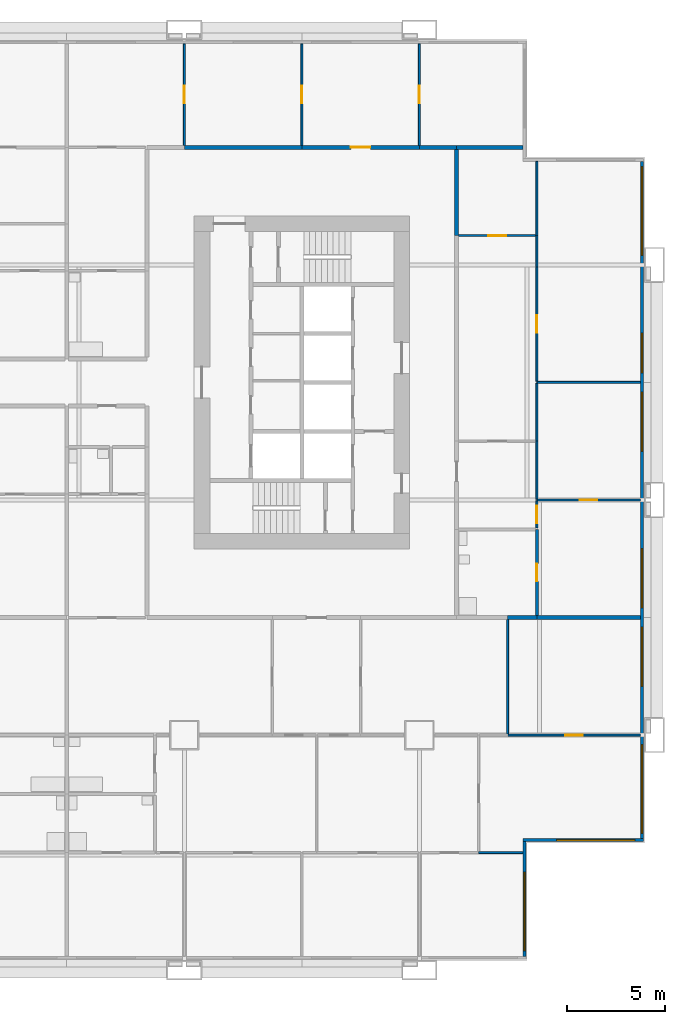
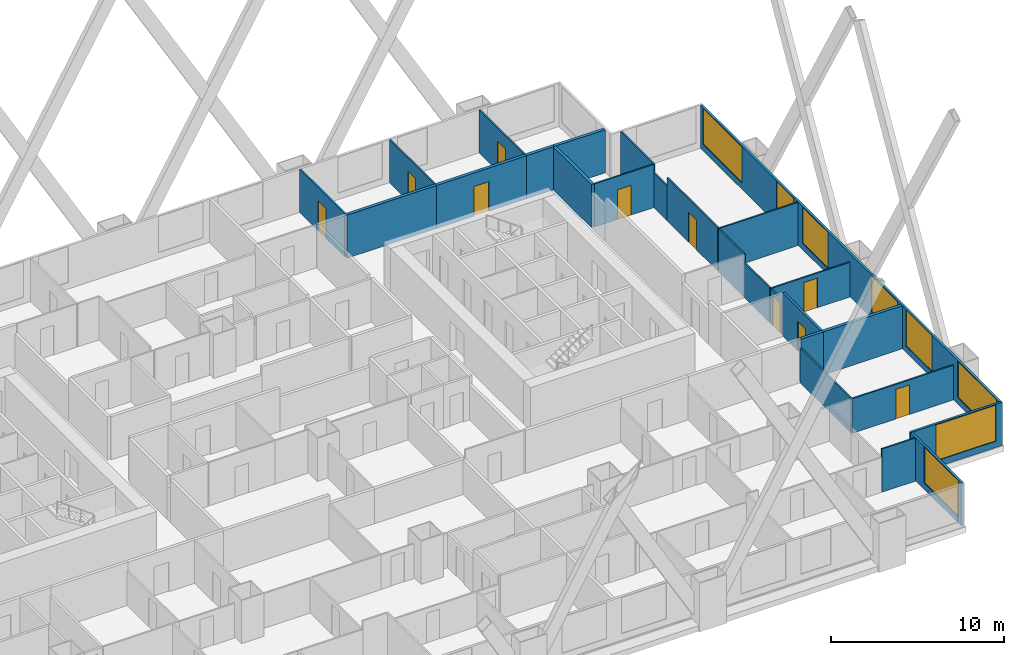
# One storey, part 10 of 13: 26 walls, 10 doors, 8 windows, 18 openings.
"""IFC4 building model written with IfcOpenShell, lengths in metres."""

from ifc_helpers import new_model, si_unit, direction, frame, frame_2d, origin, place, context, subcontext, project, spatial, rectangle, extrude, material, layer, layer_set, type_object, element, fill, save


model = new_model("IFC4")

# Units and contexts
model_context = context("Model", 3, precision=1e-05, world=origin(), true_north=direction((0.0, 1.0)))
body_context = subcontext(model_context, "Body", "Model", "MODEL_VIEW")
ifc_project = project(units=[si_unit("LENGTHUNIT", "METRE"), si_unit("AREAUNIT", "SQUARE_METRE"), si_unit("VOLUMEUNIT", "CUBIC_METRE"), si_unit("PLANEANGLEUNIT", "RADIAN"), si_unit("MASSUNIT", "GRAM", prefix="KILO")], contexts=[model_context])

# Site, building, storey
site_placement = place(None, origin())
site = spatial("IfcSite", under=ifc_project, at=site_placement, CompositionType="ELEMENT")
building_placement = place(site_placement, origin())
building = spatial("IfcBuilding", under=site, at=building_placement, Name="Kitamizu Gate Tower and Museum", CompositionType="ELEMENT")
storey_placement = place(building_placement, frame((0.0, 0.0, 50.699951171875)))
storey = spatial("IfcBuildingStorey", under=building, at=storey_placement, Name="L11", CompositionType="ELEMENT", Elevation=50.699951171875)

# Wall
ifc_material_1 = material(Name="Gypsum board on galvanised stud")
ifc_layer_1 = layer(ifc_material_1, 0.10009765625)
ifc_layer_set_1 = layer_set([ifc_layer_1], Name="Gypsum board on galvanised stud")
wall_type_1 = type_object("IfcWallType", Name="Partition 100 NOT RATED", PredefinedType="PARTITIONING", material=ifc_layer_set_1)
wall_1_placement = place(storey_placement, frame((65.280029296875, 6.0, 0.0), z_axis=(0.0, 0.0, 1.0), x_axis=(-1.0, 0.0, 0.0)))
element("IfcWall", 1, at=wall_1_placement, inside=storey, type_object=wall_type_1, Name="Partition L11-085", PredefinedType="PARTITIONING", context=body_context, shape_type="SweptSolid", body=[
    extrude(rectangle(XDim=2.260009765625, YDim=0.10009765625, at=frame_2d((1.1298828125, 0.0))), origin(), (0.0, 0.0, 1.0), 3.050048828125),
])

# Wall, opening, door
wall_2_placement = place(storey_placement, frame((71.280029296875, 12.0, 0.0), z_axis=(0.0, 0.0, 1.0), x_axis=(-1.0, 0.0, 0.0)))
wall_2 = element("IfcWall", 2, at=wall_2_placement, inside=storey, type_object=wall_type_1, Name="Partition L11-099", PredefinedType="PARTITIONING", context=body_context, shape_type="SweptSolid", body=[
    extrude(rectangle(XDim=6.780029296875, YDim=0.10009765625, at=frame_2d((3.39013671875, 0.0))), origin(), (0.0, 0.0, 1.0), 2.449951171875),
])
opening_1_placement = place(wall_2_placement, frame((2.93994140625, 0.0, 0.0)))
opening_1 = element("IfcOpeningElement", 3, at=opening_1_placement, cuts=wall_2, Name="Opening L11-038", PredefinedType="OPENING", context=body_context, shape_type="SweptSolid", body=[
    extrude(rectangle(XDim=0.89990234375, YDim=2.10009765625, at=frame_2d((0.449951171875, 1.050048828125))), frame((0.0, 0.06005859375, 0.0), z_axis=(0.0, -1.0, 0.0), x_axis=(1.0, 0.0, 0.0)), (0.0, 0.0, 1.0), 0.1201171875),
])
ifc_material_2 = material(Name="Timber door set", Category="wood")
door_type_1 = type_object("IfcDoorType", Name="Room door 900", OperationType="NOTDEFINED", PredefinedType="DOOR", material=ifc_material_2)
door_1_placement = place(opening_1_placement, frame((0.89990234375, 0.0, 0.0), x_axis=(-1.0, 0.0, 0.0)))
door_1 = element("IfcDoor", 4, at=door_1_placement, inside=storey, type_object=door_type_1, Name="Door L11-038", OperationType="SINGLE_SWING_RIGHT", OverallHeight=2.10009765625, OverallWidth=0.89990234375, PredefinedType="DOOR", context=body_context, shape_type="SweptSolid", body=[
    extrude(rectangle(XDim=0.89990234375, YDim=2.10009765625, at=frame_2d((0.449951171875, 1.050048828125))), frame((0.0, 0.02490234375, 0.0), z_axis=(0.0, -1.0, 0.0), x_axis=(1.0, 0.0, 0.0)), (0.0, 0.0, 1.0), 0.050048828125),
])
fill(opening_1, door_1)

# Wall
wall_3_placement = place(storey_placement, frame((64.5, 12.050048828125, 0.0), z_axis=(0.0, 0.0, 1.0), x_axis=(0.0, 1.0, 0.0)))
element("IfcWall", 5, at=wall_3_placement, inside=storey, type_object=wall_type_1, Name="Partition L11-105", PredefinedType="PARTITIONING", context=body_context, shape_type="SweptSolid", body=[
    extrude(rectangle(XDim=5.849853515625, YDim=0.10009765625, at=frame_2d((2.9248046875, 0.0))), origin(), (0.0, 0.0, 1.0), 2.449951171875),
])

# Wall, opening, door
wall_4_placement = place(storey_placement, frame((48.0, 42.10009765625, 0.0), z_axis=(0.0, 0.0, 1.0), x_axis=(0.0, 1.0, 0.0)))
wall_4 = element("IfcWall", 6, at=wall_4_placement, inside=storey, type_object=wall_type_1, Name="Partition L11-175", PredefinedType="PARTITIONING", context=body_context, shape_type="SweptSolid", body=[
    extrude(rectangle(XDim=5.179931640625, YDim=0.10009765625, at=frame_2d((2.58984375, 0.0))), origin(), (0.0, 0.0, 1.0), 3.050048828125),
])
opening_2_placement = place(wall_4_placement, frame((2.139892578125, 0.0, 0.0)))
opening_2 = element("IfcOpeningElement", 7, at=opening_2_placement, cuts=wall_4, Name="Opening L11-066", PredefinedType="OPENING", context=body_context, shape_type="SweptSolid", body=[
    extrude(rectangle(XDim=0.89990234375, YDim=2.10009765625, at=frame_2d((0.449951171875, 1.050048828125))), frame((0.0, 0.06005859375, 0.0), z_axis=(0.0, -1.0, 0.0), x_axis=(1.0, 0.0, 0.0)), (0.0, 0.0, 1.0), 0.1201171875),
])
door_2_placement = place(opening_2_placement, origin())
door_2 = element("IfcDoor", 8, at=door_2_placement, inside=storey, type_object=door_type_1, Name="Door L11-066", OperationType="SINGLE_SWING_RIGHT", OverallHeight=2.10009765625, OverallWidth=0.89990234375, PredefinedType="DOOR", context=body_context, shape_type="SweptSolid", body=[
    extrude(rectangle(XDim=0.89990234375, YDim=2.10009765625, at=frame_2d((0.449951171875, 1.050048828125))), frame((0.0, 0.02490234375, 0.0), z_axis=(0.0, -1.0, 0.0), x_axis=(1.0, 0.0, 0.0)), (0.0, 0.0, 1.0), 0.050048828125),
])
fill(opening_2, door_2)

wall_5_placement = place(storey_placement, frame((54.0, 42.10009765625, 0.0), z_axis=(0.0, 0.0, 1.0), x_axis=(0.0, 1.0, 0.0)))
wall_5 = element("IfcWall", 9, at=wall_5_placement, inside=storey, type_object=wall_type_1, Name="Partition L11-178", PredefinedType="PARTITIONING", context=body_context, shape_type="SweptSolid", body=[
    extrude(rectangle(XDim=5.179931640625, YDim=0.10009765625, at=frame_2d((2.58984375, 0.0))), origin(), (0.0, 0.0, 1.0), 3.050048828125),
])
opening_3_placement = place(wall_5_placement, frame((2.139892578125, 0.0, 0.0)))
opening_3 = element("IfcOpeningElement", 10, at=opening_3_placement, cuts=wall_5, Name="Opening L11-065", PredefinedType="OPENING", context=body_context, shape_type="SweptSolid", body=[
    extrude(rectangle(XDim=0.89990234375, YDim=2.10009765625, at=frame_2d((0.449951171875, 1.050048828125))), frame((0.0, 0.06005859375, 0.0), z_axis=(0.0, -1.0, 0.0), x_axis=(1.0, 0.0, 0.0)), (0.0, 0.0, 1.0), 0.1201171875),
])
door_3_placement = place(opening_3_placement, origin())
door_3 = element("IfcDoor", 11, at=door_3_placement, inside=storey, type_object=door_type_1, Name="Door L11-065", OperationType="SINGLE_SWING_LEFT", OverallHeight=2.10009765625, OverallWidth=0.89990234375, PredefinedType="DOOR", context=body_context, shape_type="SweptSolid", body=[
    extrude(rectangle(XDim=0.89990234375, YDim=2.10009765625, at=frame_2d((0.449951171875, 1.050048828125))), frame((0.0, 0.02490234375, 0.0), z_axis=(0.0, -1.0, 0.0), x_axis=(1.0, 0.0, 0.0)), (0.0, 0.0, 1.0), 0.050048828125),
])
fill(opening_3, door_3)

wall_6_placement = place(storey_placement, frame((60.0, 42.10009765625, 0.0), z_axis=(0.0, 0.0, 1.0), x_axis=(0.0, 1.0, 0.0)))
wall_6 = element("IfcWall", 12, at=wall_6_placement, inside=storey, type_object=wall_type_1, Name="Partition L11-180", PredefinedType="PARTITIONING", context=body_context, shape_type="SweptSolid", body=[
    extrude(rectangle(XDim=5.179931640625, YDim=0.10009765625, at=frame_2d((2.58984375, 0.0))), origin(), (0.0, 0.0, 1.0), 3.050048828125),
])
opening_4_placement = place(wall_6_placement, frame((2.139892578125, 0.0, 0.0)))
opening_4 = element("IfcOpeningElement", 13, at=opening_4_placement, cuts=wall_6, Name="Opening L11-064", PredefinedType="OPENING", context=body_context, shape_type="SweptSolid", body=[
    extrude(rectangle(XDim=0.89990234375, YDim=2.10009765625, at=frame_2d((0.449951171875, 1.050048828125))), frame((0.0, 0.06005859375, 0.0), z_axis=(0.0, -1.0, 0.0), x_axis=(1.0, 0.0, 0.0)), (0.0, 0.0, 1.0), 0.1201171875),
])
door_4_placement = place(opening_4_placement, frame((0.89990234375, 0.0, 0.0), x_axis=(-1.0, 0.0, 0.0)))
door_4 = element("IfcDoor", 14, at=door_4_placement, inside=storey, type_object=door_type_1, Name="Door L11-064", OperationType="SINGLE_SWING_LEFT", OverallHeight=2.10009765625, OverallWidth=0.89990234375, PredefinedType="DOOR", context=body_context, shape_type="SweptSolid", body=[
    extrude(rectangle(XDim=0.89990234375, YDim=2.10009765625, at=frame_2d((0.449951171875, 1.050048828125))), frame((0.0, 0.02490234375, 0.0), z_axis=(0.0, -1.0, 0.0), x_axis=(1.0, 0.0, 0.0)), (0.0, 0.0, 1.0), 0.050048828125),
])
fill(opening_4, door_4)

wall_7_placement = place(storey_placement, frame((71.280029296875, 24.0, 0.0), z_axis=(0.0, 0.0, 1.0), x_axis=(-1.0, 0.0, 0.0)))
wall_7 = element("IfcWall", 15, at=wall_7_placement, inside=storey, type_object=wall_type_1, Name="Partition L11-189", PredefinedType="PARTITIONING", context=body_context, shape_type="SweptSolid", body=[
    extrude(rectangle(XDim=5.280029296875, YDim=0.10009765625, at=frame_2d((2.64013671875, 0.0))), origin(), (0.0, 0.0, 1.0), 2.449951171875),
])
opening_5_placement = place(wall_7_placement, frame((2.18994140625, 0.0, 0.0)))
opening_5 = element("IfcOpeningElement", 16, at=opening_5_placement, cuts=wall_7, Name="Opening L11-074", PredefinedType="OPENING", context=body_context, shape_type="SweptSolid", body=[
    extrude(rectangle(XDim=0.89990234375, YDim=2.10009765625, at=frame_2d((0.449951171875, 1.050048828125))), frame((0.0, 0.06005859375, 0.0), z_axis=(0.0, -1.0, 0.0), x_axis=(1.0, 0.0, 0.0)), (0.0, 0.0, 1.0), 0.1201171875),
])
door_5_placement = place(opening_5_placement, origin())
door_5 = element("IfcDoor", 17, at=door_5_placement, inside=storey, type_object=door_type_1, Name="Door L11-074", OperationType="SINGLE_SWING_RIGHT", OverallHeight=2.10009765625, OverallWidth=0.89990234375, PredefinedType="DOOR", context=body_context, shape_type="SweptSolid", body=[
    extrude(rectangle(XDim=0.89990234375, YDim=2.10009765625, at=frame_2d((0.449951171875, 1.050048828125))), frame((0.0, 0.02490234375, 0.0), z_axis=(0.0, -1.0, 0.0), x_axis=(1.0, 0.0, 0.0)), (0.0, 0.0, 1.0), 0.050048828125),
])
fill(opening_5, door_5)

wall_8_placement = place(storey_placement, frame((66.0, 23.949951171875, 0.0), z_axis=(0.0, 0.0, 1.0), x_axis=(0.0, -1.0, 0.0)))
wall_8 = element("IfcWall", 18, at=wall_8_placement, inside=storey, type_object=wall_type_1, Name="Partition L11-191", PredefinedType="PARTITIONING", context=body_context, shape_type="SweptSolid", body=[
    extrude(rectangle(XDim=1.375, YDim=0.10009765625, at=frame_2d((0.6875, 0.0))), origin(), (0.0, 0.0, 1.0), 2.449951171875),
])
opening_6_placement = place(wall_8_placement, frame((0.237548828125, 0.0, 0.0)))
opening_6 = element("IfcOpeningElement", 19, at=opening_6_placement, cuts=wall_8, Name="Opening L11-070", PredefinedType="OPENING", context=body_context, shape_type="SweptSolid", body=[
    extrude(rectangle(XDim=0.89990234375, YDim=2.10009765625, at=frame_2d((0.449951171875, 1.050048828125))), frame((0.0, 0.06005859375, 0.0), z_axis=(0.0, -1.0, 0.0), x_axis=(1.0, 0.0, 0.0)), (0.0, 0.0, 1.0), 0.1201171875),
])
door_6_placement = place(opening_6_placement, origin())
door_6 = element("IfcDoor", 20, at=door_6_placement, inside=storey, type_object=door_type_1, Name="Door L11-070", OperationType="SINGLE_SWING_RIGHT", OverallHeight=2.10009765625, OverallWidth=0.89990234375, PredefinedType="DOOR", context=body_context, shape_type="SweptSolid", body=[
    extrude(rectangle(XDim=0.89990234375, YDim=2.10009765625, at=frame_2d((0.449951171875, 1.050048828125))), frame((0.0, 0.02490234375, 0.0), z_axis=(0.0, -1.0, 0.0), x_axis=(1.0, 0.0, 0.0)), (0.0, 0.0, 1.0), 0.050048828125),
])
fill(opening_6, door_6)

# Walls
wall_9_placement = place(storey_placement, frame((71.280029296875, 30.0, 0.0), z_axis=(0.0, 0.0, 1.0), x_axis=(-1.0, 0.0, 0.0)))
element("IfcWall", 21, at=wall_9_placement, inside=storey, type_object=wall_type_1, Name="Partition L11-192", PredefinedType="PARTITIONING", context=body_context, shape_type="SweptSolid", body=[
    extrude(rectangle(XDim=5.280029296875, YDim=0.10009765625, at=frame_2d((2.64013671875, 0.0))), origin(), (0.0, 0.0, 1.0), 3.050048828125),
])
wall_10_placement = place(storey_placement, frame((66.0, 27.0, 0.0), z_axis=(0.0, 0.0, 1.0), x_axis=(0.0, -1.0, 0.0)))
element("IfcWall", 22, at=wall_10_placement, inside=storey, type_object=wall_type_1, Name="Partition L11-193", PredefinedType="PARTITIONING", context=body_context, shape_type="SweptSolid", body=[
    extrude(rectangle(XDim=2.949951171875, YDim=0.10009765625, at=frame_2d((1.47509765625, 0.0))), origin(), (0.0, 0.0, 1.0), 2.449951171875),
])
wall_11_placement = place(storey_placement, frame((66.0, 29.949951171875, 0.0), z_axis=(0.0, 0.0, 1.0), x_axis=(0.0, -1.0, 0.0)))
element("IfcWall", 23, at=wall_11_placement, inside=storey, type_object=wall_type_1, Name="Partition L11-194", PredefinedType="PARTITIONING", context=body_context, shape_type="SweptSolid", body=[
    extrude(rectangle(XDim=2.949951171875, YDim=0.10009765625, at=frame_2d((1.47509765625, 0.0))), origin(), (0.0, 0.0, 1.0), 3.050048828125),
])
wall_12_placement = place(storey_placement, frame((66.0, 37.5, 0.0), z_axis=(0.0, 0.0, 1.0), x_axis=(0.0, -1.0, 0.0)))
element("IfcWall", 24, at=wall_12_placement, inside=storey, type_object=wall_type_1, Name="Partition L11-195", PredefinedType="PARTITIONING", context=body_context, shape_type="SweptSolid", body=[
    extrude(rectangle(XDim=1.60009765625, YDim=0.10009765625, at=frame_2d((0.800048828125, 0.0))), origin(), (0.0, 0.0, 1.0), 2.449951171875),
])

# Wall, opening, door
wall_13_placement = place(storey_placement, frame((66.0, 35.89990234375, 0.0), z_axis=(0.0, 0.0, 1.0), x_axis=(0.0, -1.0, 0.0)))
wall_13 = element("IfcWall", 25, at=wall_13_placement, inside=storey, type_object=wall_type_1, Name="Partition L11-196", PredefinedType="PARTITIONING", context=body_context, shape_type="SweptSolid", body=[
    extrude(rectangle(XDim=5.849853515625, YDim=0.10009765625, at=frame_2d((2.9248046875, 0.0))), origin(), (0.0, 0.0, 1.0), 3.050048828125),
])
opening_7_placement = place(wall_13_placement, frame((2.47509765625, 0.0, 0.0)))
opening_7 = element("IfcOpeningElement", 26, at=opening_7_placement, cuts=wall_13, Name="Opening L11-072", PredefinedType="OPENING", context=body_context, shape_type="SweptSolid", body=[
    extrude(rectangle(XDim=0.89990234375, YDim=2.10009765625, at=frame_2d((0.449951171875, 1.050048828125))), frame((0.0, 0.06005859375, 0.0), z_axis=(0.0, -1.0, 0.0), x_axis=(1.0, 0.0, 0.0)), (0.0, 0.0, 1.0), 0.1201171875),
])
door_7_placement = place(opening_7_placement, origin())
door_7 = element("IfcDoor", 27, at=door_7_placement, inside=storey, type_object=door_type_1, Name="Door L11-072", OperationType="SINGLE_SWING_RIGHT", OverallHeight=2.10009765625, OverallWidth=0.89990234375, PredefinedType="DOOR", context=body_context, shape_type="SweptSolid", body=[
    extrude(rectangle(XDim=0.89990234375, YDim=2.10009765625, at=frame_2d((0.449951171875, 1.050048828125))), frame((0.0, 0.02490234375, 0.0), z_axis=(0.0, -1.0, 0.0), x_axis=(1.0, 0.0, 0.0)), (0.0, 0.0, 1.0), 0.050048828125),
])
fill(opening_7, door_7)

# Wall
wall_14_placement = place(storey_placement, frame((66.0, 41.280029296875, 0.0), z_axis=(0.0, 0.0, 1.0), x_axis=(0.0, -1.0, 0.0)))
element("IfcWall", 28, at=wall_14_placement, inside=storey, type_object=wall_type_1, Name="Partition L11-197", PredefinedType="PARTITIONING", context=body_context, shape_type="SweptSolid", body=[
    extrude(rectangle(XDim=3.780029296875, YDim=0.10009765625, at=frame_2d((1.89013671875, 0.0))), origin(), (0.0, 0.0, 1.0), 3.050048828125),
])

# Wall, opening, door
wall_15_placement = place(storey_placement, frame((65.949951171875, 37.5, 0.0), z_axis=(0.0, 0.0, 1.0), x_axis=(-1.0, 0.0, 0.0)))
wall_15 = element("IfcWall", 29, at=wall_15_placement, inside=storey, type_object=wall_type_1, Name="Partition L11-203", PredefinedType="PARTITIONING", context=body_context, shape_type="SweptSolid", body=[
    extrude(rectangle(XDim=3.949951171875, YDim=0.10009765625, at=frame_2d((1.97509765625, 0.0))), origin(), (0.0, 0.0, 1.0), 3.050048828125),
])
opening_8_placement = place(wall_15_placement, frame((1.52490234375, 0.0, 0.0)))
opening_8 = element("IfcOpeningElement", 30, at=opening_8_placement, cuts=wall_15, Name="Opening L11-075", PredefinedType="OPENING", context=body_context, shape_type="SweptSolid", body=[
    extrude(rectangle(XDim=0.89990234375, YDim=2.10009765625, at=frame_2d((0.449951171875, 1.050048828125))), frame((0.0, 0.06005859375, 0.0), z_axis=(0.0, -1.0, 0.0), x_axis=(1.0, 0.0, 0.0)), (0.0, 0.0, 1.0), 0.1201171875),
])
door_8_placement = place(opening_8_placement, frame((0.89990234375, 0.0, 0.0), x_axis=(-1.0, 0.0, 0.0)))
door_8 = element("IfcDoor", 31, at=door_8_placement, inside=storey, type_object=door_type_1, Name="Door L11-075", OperationType="SINGLE_SWING_RIGHT", OverallHeight=2.10009765625, OverallWidth=0.89990234375, PredefinedType="DOOR", context=body_context, shape_type="SweptSolid", body=[
    extrude(rectangle(XDim=0.89990234375, YDim=2.10009765625, at=frame_2d((0.449951171875, 1.050048828125))), frame((0.0, 0.02490234375, 0.0), z_axis=(0.0, -1.0, 0.0), x_axis=(1.0, 0.0, 0.0)), (0.0, 0.0, 1.0), 0.050048828125),
])
fill(opening_8, door_8)

ifc_material_3 = material(Name="Gypsum board on galvanised stud")
ifc_layer_2 = layer(ifc_material_3, 0.14990234375)
ifc_layer_set_2 = layer_set([ifc_layer_2], Name="Gypsum board on galvanised stud")
wall_type_2 = type_object("IfcWallType", Name="Partition 150", PredefinedType="PARTITIONING", material=ifc_layer_set_2)
wall_16_placement = place(storey_placement, frame((66.0, 22.5, 0.0), z_axis=(0.0, 0.0, 1.0), x_axis=(0.0, -1.0, 0.0)))
wall_16 = element("IfcWall", 32, at=wall_16_placement, inside=storey, type_object=wall_type_2, Name="Partition L11-190", PredefinedType="PARTITIONING", context=body_context, shape_type="SweptSolid", body=[
    extrude(rectangle(XDim=4.39990234375, YDim=0.14990234375, at=frame_2d((2.199951171875, 0.0))), origin(), (0.0, 0.0, 1.0), 3.050048828125),
])
opening_9_placement = place(wall_16_placement, frame((1.75, 0.0, 0.0)))
opening_9 = element("IfcOpeningElement", 33, at=opening_9_placement, cuts=wall_16, Name="Opening L11-073", PredefinedType="OPENING", context=body_context, shape_type="SweptSolid", body=[
    extrude(rectangle(XDim=0.89990234375, YDim=2.10009765625, at=frame_2d((0.449951171875, 1.050048828125))), frame((0.0, 0.0849609375, 0.0), z_axis=(0.0, -1.0, 0.0), x_axis=(1.0, 0.0, 0.0)), (0.0, 0.0, 1.0), 0.169921875),
])
ifc_material_4 = material(Name="Timber door set", Category="wood")
door_type_2 = type_object("IfcDoorType", Name="Bathroom door 900", OperationType="NOTDEFINED", PredefinedType="DOOR", material=ifc_material_4)
door_9_placement = place(opening_9_placement, frame((0.89990234375, 0.0, 0.0), x_axis=(-1.0, 0.0, 0.0)))
door_9 = element("IfcDoor", 34, at=door_9_placement, inside=storey, type_object=door_type_2, Name="Bathroom door L11-073", OperationType="SINGLE_SWING_RIGHT", OverallHeight=2.10009765625, OverallWidth=0.89990234375, PredefinedType="DOOR", context=body_context, shape_type="SweptSolid", body=[
    extrude(rectangle(XDim=0.89990234375, YDim=2.10009765625, at=frame_2d((0.449951171875, 1.050048828125))), frame((0.0, 0.02490234375, 0.0), z_axis=(0.0, -1.0, 0.0), x_axis=(1.0, 0.0, 0.0)), (0.0, 0.0, 1.0), 0.050048828125),
])
fill(opening_9, door_9)

# Walls
ifc_material_5 = material(Name="Gypsum board on galvanised stud")
ifc_layer_3 = layer(ifc_material_5, 0.199951171875)
ifc_layer_set_3 = layer_set([ifc_layer_3], Name="Gypsum board on galvanised stud")
wall_type_3 = type_object("IfcWallType", Name="Partition 200", PredefinedType="PARTITIONING", material=ifc_layer_set_3)
wall_17_placement = place(storey_placement, frame((71.280029296875, 18.0, 0.0), z_axis=(0.0, 0.0, 1.0), x_axis=(-1.0, 0.0, 0.0)))
element("IfcWall", 35, at=wall_17_placement, inside=storey, type_object=wall_type_3, Name="Partition L11-108", PredefinedType="PARTITIONING", context=body_context, shape_type="SweptSolid", body=[
    extrude(rectangle(XDim=5.280029296875, YDim=0.199951171875, at=frame_2d((2.64013671875, 0.0))), origin(), (0.0, 0.0, 1.0), 3.050048828125),
])
wall_18_placement = place(storey_placement, frame((66.0, 18.0, 0.0), z_axis=(0.0, 0.0, 1.0), x_axis=(-1.0, 0.0, 0.0)))
element("IfcWall", 36, at=wall_18_placement, inside=storey, type_object=wall_type_3, Name="Partition L11-109", PredefinedType="PARTITIONING", context=body_context, shape_type="SweptSolid", body=[
    extrude(rectangle(XDim=1.5, YDim=0.199951171875, at=frame_2d((0.75, 0.0))), origin(), (0.0, 0.0, 1.0), 3.050048828125),
])
wall_19_placement = place(storey_placement, frame((48.0, 42.0, 0.0), z_axis=(0.0, 0.0, 1.0), x_axis=(1.0, 0.0, 0.0)))
element("IfcWall", 37, at=wall_19_placement, inside=storey, type_object=wall_type_3, Name="Partition L11-179", PredefinedType="PARTITIONING", context=body_context, shape_type="SweptSolid", body=[
    extrude(rectangle(XDim=6.0, YDim=0.199951171875, at=frame_2d((3.0, 0.0))), origin(), (0.0, 0.0, 1.0), 3.050048828125),
])

# Wall, opening, door
wall_20_placement = place(storey_placement, frame((54.0, 42.0, 0.0), z_axis=(0.0, 0.0, 1.0), x_axis=(1.0, 0.0, 0.0)))
wall_20 = element("IfcWall", 38, at=wall_20_placement, inside=storey, type_object=wall_type_3, Name="Partition L11-181", PredefinedType="PARTITIONING", context=body_context, shape_type="SweptSolid", body=[
    extrude(rectangle(XDim=6.0, YDim=0.199951171875, at=frame_2d((3.0, 0.0))), origin(), (0.0, 0.0, 1.0), 3.050048828125),
])
opening_10_placement = place(wall_20_placement, frame((2.5, 0.0, 0.0)))
opening_10 = element("IfcOpeningElement", 39, at=opening_10_placement, cuts=wall_20, Name="Opening L11-063", PredefinedType="OPENING", context=body_context, shape_type="SweptSolid", body=[
    extrude(rectangle(XDim=1.0, YDim=2.10009765625, at=frame_2d((0.5, 1.050048828125))), frame((0.0, 0.10986328125, 0.0), z_axis=(0.0, -1.0, 0.0), x_axis=(1.0, 0.0, 0.0)), (0.0, 0.0, 1.0), 0.219970703125),
])
ifc_material_6 = material(Name="Timber door set", Category="wood")
door_type_3 = type_object("IfcDoorType", Name="Flat entrance door 1000", OperationType="NOTDEFINED", PredefinedType="DOOR", material=ifc_material_6)
door_10_placement = place(opening_10_placement, origin())
door_10 = element("IfcDoor", 40, at=door_10_placement, inside=storey, type_object=door_type_3, Name="Flat entrance door L11-063", OperationType="SINGLE_SWING_LEFT", OverallHeight=2.10009765625, OverallWidth=1.0, PredefinedType="DOOR", context=body_context, shape_type="SweptSolid", body=[
    extrude(rectangle(XDim=1.0, YDim=2.10009765625, at=frame_2d((0.5, 1.050048828125))), frame((0.0, 0.02490234375, 0.0), z_axis=(0.0, -1.0, 0.0), x_axis=(1.0, 0.0, 0.0)), (0.0, 0.0, 1.0), 0.050048828125),
])
fill(opening_10, door_10)

# Walls
wall_21_placement = place(storey_placement, frame((61.89990234375, 42.0, 0.0), z_axis=(0.0, 0.0, 1.0), x_axis=(1.0, 0.0, 0.0)))
element("IfcWall", 41, at=wall_21_placement, inside=storey, type_object=wall_type_3, Name="Partition L11-182", PredefinedType="PARTITIONING", context=body_context, shape_type="SweptSolid", body=[
    extrude(rectangle(XDim=3.380126953125, YDim=0.199951171875, at=frame_2d((1.68994140625, 0.0))), origin(), (0.0, 0.0, 1.0), 3.050048828125),
])
wall_22_placement = place(storey_placement, frame((60.0, 42.0, 0.0), z_axis=(0.0, 0.0, 1.0), x_axis=(1.0, 0.0, 0.0)))
element("IfcWall", 42, at=wall_22_placement, inside=storey, type_object=wall_type_3, Name="Partition L11-183", PredefinedType="PARTITIONING", context=body_context, shape_type="SweptSolid", body=[
    extrude(rectangle(XDim=1.89990234375, YDim=0.199951171875, at=frame_2d((0.949951171875, 0.0))), origin(), (0.0, 0.0, 1.0), 3.050048828125),
])
wall_23_placement = place(storey_placement, frame((61.89990234375, 41.89990234375, 0.0), z_axis=(0.0, 0.0, 1.0), x_axis=(0.0, -1.0, 0.0)))
element("IfcWall", 43, at=wall_23_placement, inside=storey, type_object=wall_type_3, Name="Partition L11-206", PredefinedType="PARTITIONING", context=body_context, shape_type="SweptSolid", body=[
    extrude(rectangle(XDim=4.39990234375, YDim=0.199951171875, at=frame_2d((2.199951171875, 0.0))), origin(), (0.0, 0.0, 1.0), 3.050048828125),
])

# Wall, opening, window
ifc_material_7 = material(Name="Bronze anodised aluminium frame with insulated spandrel and tinted glass", Category="aluminium")
ifc_layer_4 = layer(ifc_material_7, 0.14990234375)
ifc_layer_set_4 = layer_set([ifc_layer_4], Name="Bronze anodised aluminium frame with insulated spandrel and tinted glass")
wall_type_4 = type_object("IfcWallType", Name="WINDOW WALL 150 BRONZE FRAME EI 30", PredefinedType="ELEMENTEDWALL", material=ifc_layer_set_4)
wall_24_placement = place(storey_placement, frame((65.364990234375, 0.7099609375, 0.0), z_axis=(0.0, 0.0, 1.0), x_axis=(0.0, 1.0, 0.0)))
wall_24 = element("IfcWall", 44, at=wall_24_placement, inside=storey, type_object=wall_type_4, Name="Window wall east L11", PredefinedType="ELEMENTEDWALL", context=body_context, shape_type="SweptSolid", body=[
    extrude(rectangle(XDim=5.85009765625, YDim=0.14990234375, at=frame_2d((2.925048828125, 0.0))), origin(), (0.0, 0.0, 1.0), 3.050048828125),
])
opening_11_placement = place(wall_24_placement, frame((0.2900390625, 0.0, 0.449951171875)))
opening_11 = element("IfcOpeningElement", 45, at=opening_11_placement, cuts=wall_24, Name="Opening W16", PredefinedType="OPENING", context=body_context, shape_type="SweptSolid", body=[
    extrude(rectangle(XDim=4.0, YDim=2.550048828125, at=frame_2d((2.0, 1.27490234375))), frame((0.0, 0.0849609375, 0.0), z_axis=(0.0, -1.0, 0.0), x_axis=(1.0, 0.0, 0.0)), (0.0, 0.0, 1.0), 0.169921875),
])
ifc_material_8 = material(Name="Bronze anodised aluminium frame, tinted triple glazing", Category="aluminium")
window_type_1 = type_object("IfcWindowType", Name="WINDOW 4000 x 2550 SILL 450", PartitioningType="SINGLE_PANEL", PredefinedType="WINDOW", material=ifc_material_8)
window_1_placement = place(opening_11_placement, origin())
window_1 = element("IfcWindow", 46, at=window_1_placement, inside=storey, type_object=window_type_1, Name="Window W16 L11", OverallHeight=2.550048828125, OverallWidth=4.0, PartitioningType="SINGLE_PANEL", PredefinedType="WINDOW", context=body_context, shape_type="SweptSolid", body=[
    extrude(rectangle(XDim=4.0, YDim=2.550048828125, at=frame_2d((2.0, 1.27490234375))), frame((0.0, 0.030029296875, 0.0), z_axis=(0.0, -1.0, 0.0), x_axis=(1.0, 0.0, 0.0)), (0.0, 0.0, 1.0), 0.06005859375),
])
fill(opening_11, window_1)

wall_25_placement = place(storey_placement, frame((65.2900390625, 6.635009765625, 0.0), z_axis=(0.0, 0.0, 1.0), x_axis=(1.0, 0.0, 0.0)))
wall_25 = element("IfcWall", 47, at=wall_25_placement, inside=storey, type_object=wall_type_4, Name="Window wall south L11", PredefinedType="ELEMENTEDWALL", context=body_context, shape_type="SweptSolid", body=[
    extrude(rectangle(XDim=6.14990234375, YDim=0.14990234375, at=frame_2d((3.074951171875, 0.0))), origin(), (0.0, 0.0, 1.0), 3.050048828125),
])
opening_12_placement = place(wall_25_placement, frame((1.7099609375, 0.0, 0.449951171875)))
opening_12 = element("IfcOpeningElement", 48, at=opening_12_placement, cuts=wall_25, Name="Opening W16", PredefinedType="OPENING", context=body_context, shape_type="SweptSolid", body=[
    extrude(rectangle(XDim=4.0, YDim=2.550048828125, at=frame_2d((2.0, 1.27490234375))), frame((0.0, 0.0849609375, 0.0), z_axis=(0.0, -1.0, 0.0), x_axis=(1.0, 0.0, 0.0)), (0.0, 0.0, 1.0), 0.169921875),
])
window_2_placement = place(opening_12_placement, origin())
window_2 = element("IfcWindow", 49, at=window_2_placement, inside=storey, type_object=window_type_1, Name="Window W16 L11", OverallHeight=2.550048828125, OverallWidth=4.0, PartitioningType="SINGLE_PANEL", PredefinedType="WINDOW", context=body_context, shape_type="SweptSolid", body=[
    extrude(rectangle(XDim=4.0, YDim=2.550048828125, at=frame_2d((2.0, 1.27490234375))), frame((0.0, 0.030029296875, 0.0), z_axis=(0.0, -1.0, 0.0), x_axis=(1.0, 0.0, 0.0)), (0.0, 0.0, 1.0), 0.06005859375),
])
fill(opening_12, window_2)

# Wall, openings, windows
wall_26_placement = place(storey_placement, frame((71.364990234375, 6.7099609375, 0.0), z_axis=(0.0, 0.0, 1.0), x_axis=(0.0, 1.0, 0.0)))
wall_26 = element("IfcWall", 50, at=wall_26_placement, inside=storey, type_object=wall_type_4, Name="Window wall east L11", PredefinedType="ELEMENTEDWALL", context=body_context, shape_type="SweptSolid", body=[
    extrude(rectangle(XDim=34.580078125, YDim=0.14990234375, at=frame_2d((17.2900390625, 0.0))), origin(), (0.0, 0.0, 1.0), 3.050048828125),
])
opening_13_placement = place(wall_26_placement, frame((0.2900390625, 0.0, 0.449951171875)))
opening_13 = element("IfcOpeningElement", 51, at=opening_13_placement, cuts=wall_26, Name="Opening W15", PredefinedType="OPENING", context=body_context, shape_type="SweptSolid", body=[
    extrude(rectangle(XDim=4.5, YDim=2.550048828125, at=frame_2d((2.25, 1.27490234375))), frame((0.0, 0.0849609375, 0.0), z_axis=(0.0, -1.0, 0.0), x_axis=(1.0, 0.0, 0.0)), (0.0, 0.0, 1.0), 0.169921875),
])
opening_14_placement = place(wall_26_placement, frame((7.7900390625, 0.0, 0.449951171875)))
opening_14 = element("IfcOpeningElement", 52, at=opening_14_placement, cuts=wall_26, Name="Opening W33", PredefinedType="OPENING", context=body_context, shape_type="SweptSolid", body=[
    extrude(rectangle(XDim=3.0, YDim=2.550048828125, at=frame_2d((1.5, 1.27490234375))), frame((0.0, 0.0849609375, 0.0), z_axis=(0.0, -1.0, 0.0), x_axis=(1.0, 0.0, 0.0)), (0.0, 0.0, 1.0), 0.169921875),
])
opening_15_placement = place(wall_26_placement, frame((11.7900390625, 0.0, 0.449951171875)))
opening_15 = element("IfcOpeningElement", 53, at=opening_15_placement, cuts=wall_26, Name="Opening W33", PredefinedType="OPENING", context=body_context, shape_type="SweptSolid", body=[
    extrude(rectangle(XDim=3.0, YDim=2.550048828125, at=frame_2d((1.5, 1.27490234375))), frame((0.0, 0.0849609375, 0.0), z_axis=(0.0, -1.0, 0.0), x_axis=(1.0, 0.0, 0.0)), (0.0, 0.0, 1.0), 0.169921875),
])
opening_16_placement = place(wall_26_placement, frame((19.7900390625, 0.0, 0.449951171875)))
opening_16 = element("IfcOpeningElement", 54, at=opening_16_placement, cuts=wall_26, Name="Opening W33", PredefinedType="OPENING", context=body_context, shape_type="SweptSolid", body=[
    extrude(rectangle(XDim=3.0, YDim=2.550048828125, at=frame_2d((1.5, 1.27490234375))), frame((0.0, 0.0849609375, 0.0), z_axis=(0.0, -1.0, 0.0), x_axis=(1.0, 0.0, 0.0)), (0.0, 0.0, 1.0), 0.169921875),
])
opening_17_placement = place(wall_26_placement, frame((23.7900390625, 0.0, 0.449951171875)))
opening_17 = element("IfcOpeningElement", 55, at=opening_17_placement, cuts=wall_26, Name="Opening W2", PredefinedType="OPENING", context=body_context, shape_type="SweptSolid", body=[
    extrude(rectangle(XDim=2.0, YDim=2.550048828125, at=frame_2d((1.0, 1.27490234375))), frame((0.0, 0.0849609375, 0.0), z_axis=(0.0, -1.0, 0.0), x_axis=(1.0, 0.0, 0.0)), (0.0, 0.0, 1.0), 0.169921875),
])
opening_18_placement = place(wall_26_placement, frame((29.7900390625, 0.0, 0.449951171875)))
opening_18 = element("IfcOpeningElement", 56, at=opening_18_placement, cuts=wall_26, Name="Opening W15", PredefinedType="OPENING", context=body_context, shape_type="SweptSolid", body=[
    extrude(rectangle(XDim=4.5, YDim=2.550048828125, at=frame_2d((2.25, 1.27490234375))), frame((0.0, 0.0849609375, 0.0), z_axis=(0.0, -1.0, 0.0), x_axis=(1.0, 0.0, 0.0)), (0.0, 0.0, 1.0), 0.169921875),
])
ifc_material_9 = material(Name="Bronze anodised aluminium frame, tinted triple glazing", Category="aluminium")
window_type_2 = type_object("IfcWindowType", Name="WINDOW 2000 x 2550 SILL 450", PartitioningType="SINGLE_PANEL", PredefinedType="WINDOW", material=ifc_material_9)
window_3_placement = place(opening_17_placement, origin())
window_3 = element("IfcWindow", 57, at=window_3_placement, inside=storey, type_object=window_type_2, Name="Window W2 L11", OverallHeight=2.550048828125, OverallWidth=2.0, PartitioningType="SINGLE_PANEL", PredefinedType="WINDOW", context=body_context, shape_type="SweptSolid", body=[
    extrude(rectangle(XDim=2.0, YDim=2.550048828125, at=frame_2d((1.0, 1.27490234375))), frame((0.0, 0.030029296875, 0.0), z_axis=(0.0, -1.0, 0.0), x_axis=(1.0, 0.0, 0.0)), (0.0, 0.0, 1.0), 0.06005859375),
])
fill(opening_17, window_3)
ifc_material_10 = material(Name="Bronze anodised aluminium frame, tinted triple glazing", Category="aluminium")
window_type_3 = type_object("IfcWindowType", Name="WINDOW 3000 x 2550 SILL 450", PartitioningType="SINGLE_PANEL", PredefinedType="WINDOW", material=ifc_material_10)
window_4_placement = place(opening_14_placement, origin())
window_4 = element("IfcWindow", 58, at=window_4_placement, inside=storey, type_object=window_type_3, Name="Window W33 L11", OverallHeight=2.550048828125, OverallWidth=3.0, PartitioningType="SINGLE_PANEL", PredefinedType="WINDOW", context=body_context, shape_type="SweptSolid", body=[
    extrude(rectangle(XDim=3.0, YDim=2.550048828125, at=frame_2d((1.5, 1.27490234375))), frame((0.0, 0.030029296875, 0.0), z_axis=(0.0, -1.0, 0.0), x_axis=(1.0, 0.0, 0.0)), (0.0, 0.0, 1.0), 0.06005859375),
])
fill(opening_14, window_4)
window_5_placement = place(opening_15_placement, origin())
window_5 = element("IfcWindow", 59, at=window_5_placement, inside=storey, type_object=window_type_3, Name="Window W33 L11", OverallHeight=2.550048828125, OverallWidth=3.0, PartitioningType="SINGLE_PANEL", PredefinedType="WINDOW", context=body_context, shape_type="SweptSolid", body=[
    extrude(rectangle(XDim=3.0, YDim=2.550048828125, at=frame_2d((1.5, 1.27490234375))), frame((0.0, 0.030029296875, 0.0), z_axis=(0.0, -1.0, 0.0), x_axis=(1.0, 0.0, 0.0)), (0.0, 0.0, 1.0), 0.06005859375),
])
fill(opening_15, window_5)
window_6_placement = place(opening_16_placement, origin())
window_6 = element("IfcWindow", 60, at=window_6_placement, inside=storey, type_object=window_type_3, Name="Window W33 L11", OverallHeight=2.550048828125, OverallWidth=3.0, PartitioningType="SINGLE_PANEL", PredefinedType="WINDOW", context=body_context, shape_type="SweptSolid", body=[
    extrude(rectangle(XDim=3.0, YDim=2.550048828125, at=frame_2d((1.5, 1.27490234375))), frame((0.0, 0.030029296875, 0.0), z_axis=(0.0, -1.0, 0.0), x_axis=(1.0, 0.0, 0.0)), (0.0, 0.0, 1.0), 0.06005859375),
])
fill(opening_16, window_6)
ifc_material_11 = material(Name="Bronze anodised aluminium frame, tinted triple glazing", Category="aluminium")
window_type_4 = type_object("IfcWindowType", Name="WINDOW 4500 x 2550 SILL 450", PartitioningType="SINGLE_PANEL", PredefinedType="WINDOW", material=ifc_material_11)
window_7_placement = place(opening_13_placement, origin())
window_7 = element("IfcWindow", 61, at=window_7_placement, inside=storey, type_object=window_type_4, Name="Window W15 L11", OverallHeight=2.550048828125, OverallWidth=4.5, PartitioningType="SINGLE_PANEL", PredefinedType="WINDOW", context=body_context, shape_type="SweptSolid", body=[
    extrude(rectangle(XDim=4.5, YDim=2.550048828125, at=frame_2d((2.25, 1.27490234375))), frame((0.0, 0.030029296875, 0.0), z_axis=(0.0, -1.0, 0.0), x_axis=(1.0, 0.0, 0.0)), (0.0, 0.0, 1.0), 0.06005859375),
])
fill(opening_13, window_7)
window_8_placement = place(opening_18_placement, origin())
window_8 = element("IfcWindow", 62, at=window_8_placement, inside=storey, type_object=window_type_4, Name="Window W15 L11", OverallHeight=2.550048828125, OverallWidth=4.5, PartitioningType="SINGLE_PANEL", PredefinedType="WINDOW", context=body_context, shape_type="SweptSolid", body=[
    extrude(rectangle(XDim=4.5, YDim=2.550048828125, at=frame_2d((2.25, 1.27490234375))), frame((0.0, 0.030029296875, 0.0), z_axis=(0.0, -1.0, 0.0), x_axis=(1.0, 0.0, 0.0)), (0.0, 0.0, 1.0), 0.06005859375),
])
fill(opening_18, window_8)

save(model, "model.ifc")
